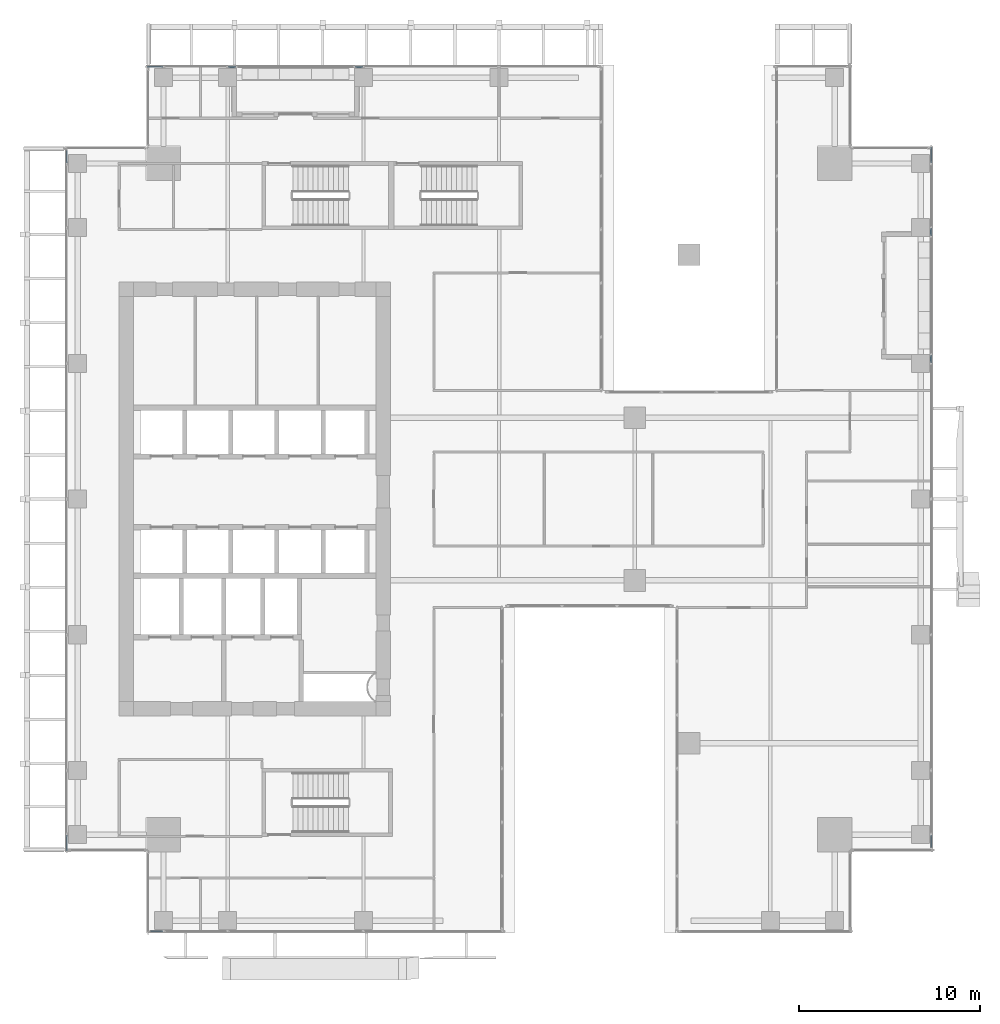
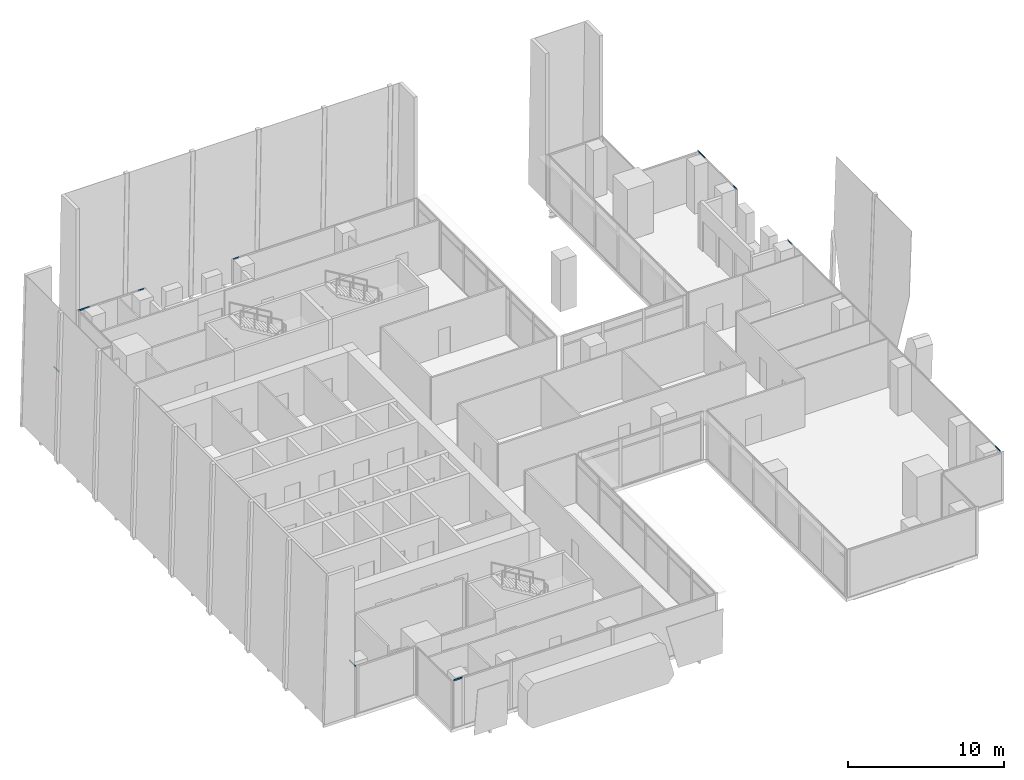
# One storey, part 27 of 40: 10 members, 6 elements without a shape of their own.
"""IFC4 building model written with IfcOpenShell, lengths in metres."""

from ifc_helpers import new_model, si_unit, direction, frame, origin, origin_2d, place, context, subcontext, project, spatial, hollow_rectangle, extrude, source, transform, mapped, material, material_profile, profile_set, type_object, element, aggregate, save


model = new_model("IFC4")

# Units and contexts
model_context = context("Model", 3, precision=1e-05, world=origin(), true_north=direction((0.0, 1.0)))
body_context = subcontext(model_context, "Body", "Model", "MODEL_VIEW")
ifc_project = project(units=[si_unit("LENGTHUNIT", "METRE"), si_unit("AREAUNIT", "SQUARE_METRE"), si_unit("VOLUMEUNIT", "CUBIC_METRE"), si_unit("PLANEANGLEUNIT", "RADIAN"), si_unit("MASSUNIT", "GRAM", prefix="KILO")], contexts=[model_context])

# Site, building, storey
site_placement = place(None, origin())
site = spatial("IfcSite", under=ifc_project, at=site_placement, CompositionType="ELEMENT")
building_placement = place(site_placement, origin())
building = spatial("IfcBuilding", under=site, at=building_placement, Name="Khomas Fold Tower", CompositionType="ELEMENT")
storey_placement = place(building_placement, frame((0.0, 0.0, 176.699951171875)))
storey = spatial("IfcBuildingStorey", under=building, at=storey_placement, Name="L38", CompositionType="ELEMENT", Elevation=176.699951171875)

# Curtain wall, member
ifc_material_1 = material(Name="Aluminium framed double glazing", Category="aluminium")
curtain_wall_type = type_object("IfcCurtainWallType", Name="SK-Unitised clear-glass wall, office floors CW2", PredefinedType="NOTDEFINED", material=ifc_material_1)
curtain_wall_1_placement = place(storey_placement, origin())
curtain_wall_1 = element("IfcCurtainWall", 1, at=curtain_wall_1_placement, inside=storey, type_object=curtain_wall_type, Name="CW2 run L38 01-0", PredefinedType="NOTDEFINED")
ifc_material_2 = material(Name="Aluminium", Category="aluminium")
ifc_material_profile = material_profile(ifc_material_2, hollow_rectangle(XDim=0.050048828125, YDim=0.110107421875, WallThickness=0.00390625, at=origin_2d()), Name="SK-Unitised clear-glass wall, office floors transom CW2-T")
ifc_profile_set = profile_set([ifc_material_profile], Name="Aluminium")
member_type = type_object("IfcMemberType", Name="SK-Unitised clear-glass wall, office floors transom CW2-T", PredefinedType="USERDEFINED", material=ifc_profile_set)
shared_shape_1 = source(origin(), body_context, "Body", "SweptSolid", [
    extrude(hollow_rectangle(XDim=0.050048828125, YDim=0.110107421875, WallThickness=0.00390625, at=origin_2d()), origin(), (0.0, 0.0, 1.0), 0.659912109375),
])
member_1_placement = place(storey_placement, frame((7.760009765625, 3.10009765625, 3.695068359375), z_axis=(1.0, 0.0, 0.0), x_axis=(0.0, 1.0, 0.0)))
member_1 = element("IfcMember", 2, at=member_1_placement, type_object=member_type, Name="CW2 transom 1", ObjectType="TRANSOM", PredefinedType="USERDEFINED", context=body_context, shape_type="MappedRepresentation", body=[
    mapped(shared_shape_1, transform((0.0, 0.0, 0.0))),
])
aggregate(curtain_wall_1, [member_1])

curtain_wall_2_placement = place(storey_placement, origin())
curtain_wall_2 = element("IfcCurtainWall", 3, at=curtain_wall_2_placement, inside=storey, type_object=curtain_wall_type, Name="CW2 run L38 08-0", PredefinedType="NOTDEFINED")
member_2_placement = place(storey_placement, frame((50.89990234375, 7.760009765625, 3.695068359375), z_axis=(0.0, 1.0, 0.0), x_axis=(-1.0, 0.0, 0.0)))
member_2 = element("IfcMember", 4, at=member_2_placement, type_object=member_type, Name="CW2 transom 1", ObjectType="TRANSOM", PredefinedType="USERDEFINED", context=body_context, shape_type="MappedRepresentation", body=[
    mapped(shared_shape_1, transform((0.0, 0.0, 0.0))),
])

curtain_wall_3_placement = place(storey_placement, origin())
curtain_wall_3 = element("IfcCurtainWall", 5, at=curtain_wall_3_placement, inside=storey, type_object=curtain_wall_type, Name="CW2 run L38 18-0", PredefinedType="NOTDEFINED")
member_3_placement = place(storey_placement, frame((3.10009765625, 46.239990234375, 3.695068359375), z_axis=(0.0, -1.0, 0.0), x_axis=(1.0, 0.0, 0.0)))
member_3 = element("IfcMember", 6, at=member_3_placement, type_object=member_type, Name="CW2 transom 1", ObjectType="TRANSOM", PredefinedType="USERDEFINED", context=body_context, shape_type="MappedRepresentation", body=[
    mapped(shared_shape_1, transform((0.0, 0.0, 0.0))),
])

# Member
shared_shape_2 = source(origin(), body_context, "Body", "SweptSolid", [
    extrude(hollow_rectangle(XDim=0.050048828125, YDim=0.110107421875, WallThickness=0.00390625, at=origin_2d()), origin(), (0.0, 0.0, 1.0), 0.409912109375),
])
member_4_placement = place(storey_placement, frame((50.89990234375, 34.530029296875, 3.695068359375), z_axis=(0.0, 1.0, 0.0), x_axis=(-1.0, 0.0, 0.0)))
member_4 = element("IfcMember", 7, at=member_4_placement, type_object=member_type, Name="CW2 transom 6", ObjectType="TRANSOM", PredefinedType="USERDEFINED", context=body_context, shape_type="MappedRepresentation", body=[
    mapped(shared_shape_2, transform((0.0, 0.0, 0.0))),
])

aggregate(curtain_wall_2, [member_2, member_4])

# Curtain wall, member
curtain_wall_4_placement = place(storey_placement, origin())
curtain_wall_4 = element("IfcCurtainWall", 8, at=curtain_wall_4_placement, inside=storey, type_object=curtain_wall_type, Name="CW2 run L38 08-1", PredefinedType="NOTDEFINED")
member_5_placement = place(storey_placement, frame((50.89990234375, 41.56005859375, 3.695068359375), z_axis=(0.0, 1.0, 0.0), x_axis=(-1.0, 0.0, 0.0)))
member_5 = element("IfcMember", 9, at=member_5_placement, type_object=member_type, Name="CW2 transom 1", ObjectType="TRANSOM", PredefinedType="USERDEFINED", context=body_context, shape_type="MappedRepresentation", body=[
    mapped(shared_shape_2, transform((0.0, 0.0, 0.0))),
])

curtain_wall_5_placement = place(storey_placement, origin())
curtain_wall_5 = element("IfcCurtainWall", 10, at=curtain_wall_5_placement, inside=storey, type_object=curtain_wall_type, Name="CW2 run L38 15-0", PredefinedType="NOTDEFINED")
member_6_placement = place(storey_placement, frame((19.469970703125, 50.89990234375, 3.695068359375), z_axis=(-1.0, 0.0, 0.0), x_axis=(0.0, -1.0, 0.0)))
member_6 = element("IfcMember", 11, at=member_6_placement, type_object=member_type, Name="CW2 transom 3", ObjectType="TRANSOM", PredefinedType="USERDEFINED", context=body_context, shape_type="MappedRepresentation", body=[
    mapped(shared_shape_2, transform((0.0, 0.0, 0.0))),
])
aggregate(curtain_wall_5, [member_6])

curtain_wall_6_placement = place(storey_placement, origin())
curtain_wall_6 = element("IfcCurtainWall", 12, at=curtain_wall_6_placement, inside=storey, type_object=curtain_wall_type, Name="CW2 run L38 15-1", PredefinedType="NOTDEFINED")
member_7_placement = place(storey_placement, frame((12.43994140625, 50.89990234375, 3.695068359375), z_axis=(-1.0, 0.0, 0.0), x_axis=(0.0, -1.0, 0.0)))
member_7 = element("IfcMember", 13, at=member_7_placement, type_object=member_type, Name="CW2 transom 1", ObjectType="TRANSOM", PredefinedType="USERDEFINED", context=body_context, shape_type="MappedRepresentation", body=[
    mapped(shared_shape_2, transform((0.0, 0.0, 0.0))),
])

# Member
shared_shape_3 = source(origin(), body_context, "Body", "SweptSolid", [
    extrude(hollow_rectangle(XDim=0.050048828125, YDim=0.110107421875, WallThickness=0.00390625, at=origin_2d()), origin(), (0.0, 0.0, 1.0), 0.85986328125),
])
member_8_placement = place(storey_placement, frame((50.89990234375, 45.580078125, 3.695068359375), z_axis=(0.0, 1.0, 0.0), x_axis=(-1.0, 0.0, 0.0)))
member_8 = element("IfcMember", 14, at=member_8_placement, type_object=member_type, Name="CW2 transom 3", ObjectType="TRANSOM", PredefinedType="USERDEFINED", context=body_context, shape_type="MappedRepresentation", body=[
    mapped(shared_shape_3, transform((0.0, 0.0, 0.0))),
])

aggregate(curtain_wall_4, [member_5, member_8])

member_9_placement = place(storey_placement, frame((8.419921875, 50.89990234375, 3.695068359375), z_axis=(-1.0, 0.0, 0.0), x_axis=(0.0, -1.0, 0.0)))
member_9 = element("IfcMember", 15, at=member_9_placement, type_object=member_type, Name="CW2 transom 3", ObjectType="TRANSOM", PredefinedType="USERDEFINED", context=body_context, shape_type="MappedRepresentation", body=[
    mapped(shared_shape_3, transform((0.0, 0.0, 0.0))),
])

aggregate(curtain_wall_6, [member_7, member_9])

member_10_placement = place(storey_placement, frame((3.10009765625, 8.419921875, 3.695068359375), z_axis=(0.0, -1.0, 0.0), x_axis=(1.0, 0.0, 0.0)))
member_10 = element("IfcMember", 16, at=member_10_placement, type_object=member_type, Name="CW2 transom 8", ObjectType="TRANSOM", PredefinedType="USERDEFINED", context=body_context, shape_type="MappedRepresentation", body=[
    mapped(shared_shape_3, transform((0.0, 0.0, 0.0))),
])

aggregate(curtain_wall_3, [member_3, member_10])

save(model, "model.ifc")
